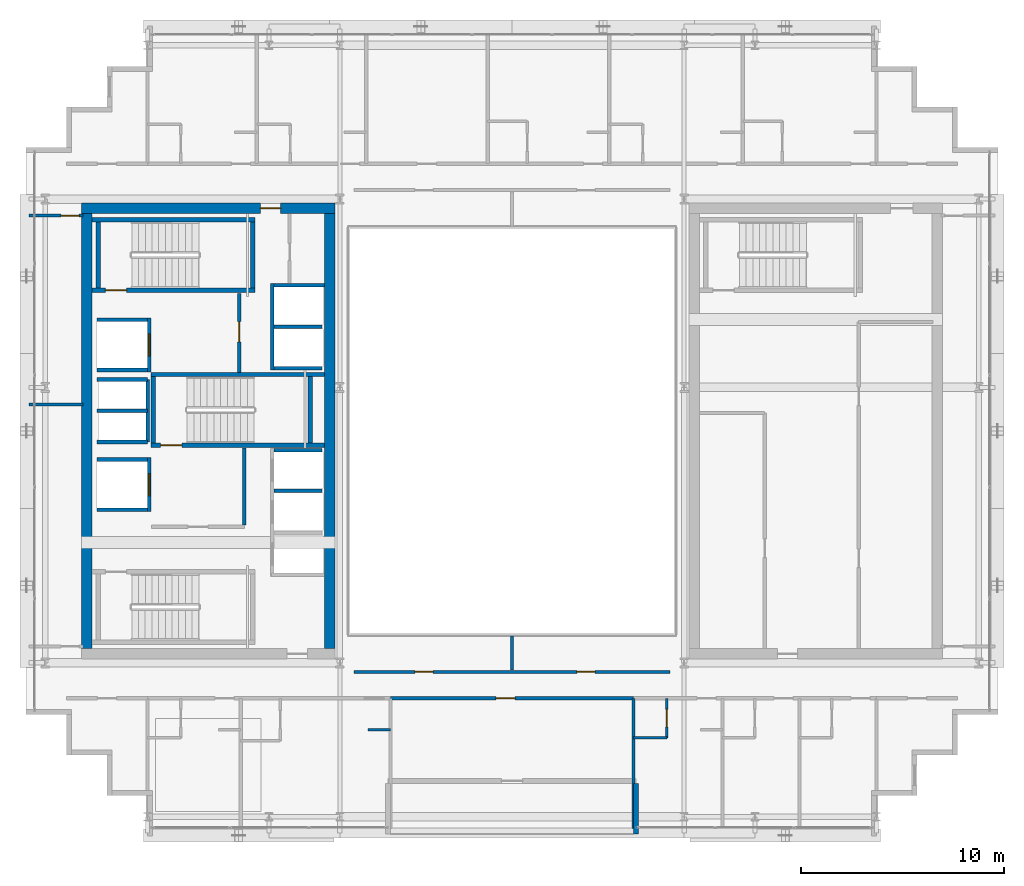
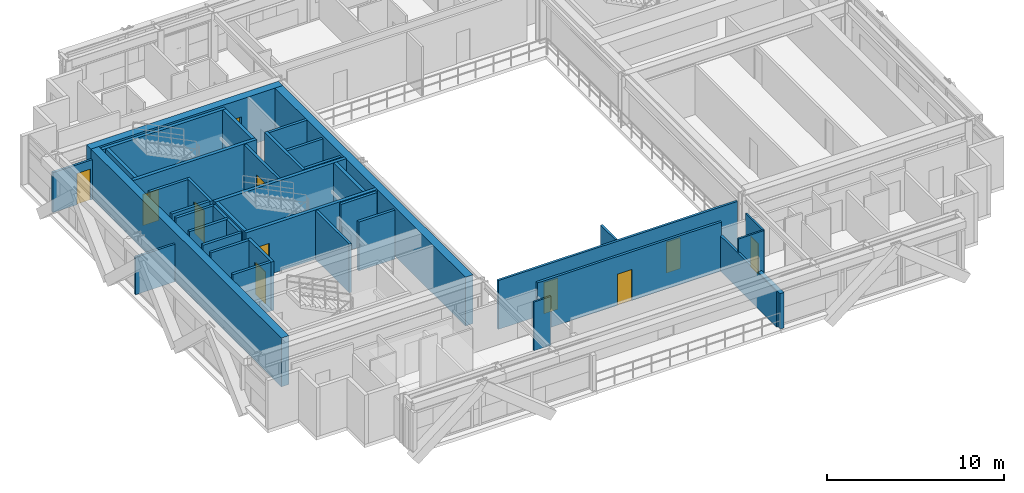
# One storey, part 24 of 31: 39 walls, 11 doors, 11 openings.
"""IFC4 building model written with IfcOpenShell, lengths in metres."""

from ifc_helpers import new_model, si_unit, direction, frame, frame_2d, origin, place, context, subcontext, project, spatial, rectangle, extrude, source, transform, mapped, material, layer, layer_set, type_object, element, fill, save


model = new_model("IFC4")

# Units and contexts
model_context = context("Model", 3, precision=1e-05, world=origin(), true_north=direction((0.0, 1.0)))
body_context = subcontext(model_context, "Body", "Model", "MODEL_VIEW")
ifc_project = project(units=[si_unit("LENGTHUNIT", "METRE"), si_unit("AREAUNIT", "SQUARE_METRE"), si_unit("VOLUMEUNIT", "CUBIC_METRE"), si_unit("PLANEANGLEUNIT", "RADIAN"), si_unit("MASSUNIT", "GRAM", prefix="KILO")], contexts=[model_context])

# Site, building, storey
site_placement = place(None, origin())
site = spatial("IfcSite", under=ifc_project, at=site_placement, CompositionType="ELEMENT")
building_placement = place(site_placement, origin())
building = spatial("IfcBuilding", under=site, at=building_placement, Name="Ocotamira Hotel", CompositionType="ELEMENT")
storey_placement = place(building_placement, frame((0.0, 0.0, 202.800048828125)))
storey = spatial("IfcBuildingStorey", under=building, at=storey_placement, Name="L51", CompositionType="ELEMENT", Elevation=202.800048828125)

# Wall, opening, door
ifc_material_1 = material(Name="Concrete C50/60", Category="concrete")
ifc_layer_1 = layer(ifc_material_1, 0.5)
ifc_layer_set_1 = layer_set([ifc_layer_1], Name="Concrete C50/60")
wall_type_1 = type_object("IfcWallType", Name="WL-CORE-500", PredefinedType="SHEAR", material=ifc_layer_set_1)
wall_1_placement = place(storey_placement, frame((10.75, 37.0, 0.0), z_axis=(0.0, 0.0, 1.0), x_axis=(1.0, 0.0, 0.0)))
wall_1 = element("IfcWall", 1, at=wall_1_placement, inside=storey, type_object=wall_type_1, Name="L51 Shear Core Wall WCORE-N", PredefinedType="SHEAR", context=body_context, shape_type="SweptSolid", body=[
    extrude(rectangle(XDim=12.5, YDim=0.5, at=frame_2d((6.25, 0.0))), origin(), (0.0, 0.0, 1.0), 3.369873046875),
])
opening_1_placement = place(wall_1_placement, frame((8.830078125, 0.0, 0.0)))
opening_1 = element("IfcOpeningElement", 2, at=opening_1_placement, cuts=wall_1, Name="Opening D-FR2", PredefinedType="OPENING", context=body_context, shape_type="SweptSolid", body=[
    extrude(rectangle(XDim=1.0, YDim=2.14990234375, at=frame_2d((0.5, 1.074951171875))), frame((0.0, 0.260009765625, 0.0), z_axis=(0.0, -1.0, 0.0), x_axis=(1.0, 0.0, 0.0)), (0.0, 0.0, 1.0), 0.52001953125),
])
ifc_material_2 = material(Name="Fire-rated acoustic timber-veneer door", Category="wood")
door_type_1 = type_object("IfcDoorType", Name="DR-FIRE-1000", OperationType="NOTDEFINED", PredefinedType="DOOR", material=ifc_material_2)
shared_shape_1 = source(origin(), body_context, "Body", "SweptSolid", [
    extrude(rectangle(XDim=1.0, YDim=2.14990234375, at=frame_2d((0.5, 1.074951171875))), frame((0.0, 0.02490234375, 0.0), z_axis=(0.0, -1.0, 0.0), x_axis=(1.0, 0.0, 0.0)), (0.0, 0.0, 1.0), 0.050048828125),
])
door_1_placement = place(opening_1_placement, origin())
door_1 = element("IfcDoor", 3, at=door_1_placement, inside=storey, type_object=door_type_1, Name="L51 Door ID-L51-WLOB-N-D [ID-L51-WLOB-N-D]", OperationType="SINGLE_SWING_RIGHT", OverallHeight=2.14990234375, OverallWidth=1.0, PredefinedType="DOOR", context=body_context, shape_type="MappedRepresentation", body=[
    mapped(shared_shape_1, transform((0.0, 0.0, 0.0), scale=1.0)),
])
fill(opening_1, door_1)

# Walls
for number, where, z_axis, x_axis, name in (
    (4, (11.0, 15.25, 0.0), (0.0, 0.0, 1.0), (0.0, 1.0, 0.0), "L51 Shear Core Wall WCORE-W"),
    (5, (23.0, 15.25, 0.0), (0.0, 0.0, 1.0), (0.0, 1.0, 0.0), "L51 Shear Core Wall WCORE-E"),
):
    element("IfcWall", number, at=place(storey_placement, frame(where, z_axis=z_axis, x_axis=x_axis)), inside=storey, type_object=wall_type_1, Name=name, PredefinedType="SHEAR", context=body_context, shape_type="SweptSolid", body=[
        extrude(rectangle(XDim=21.5, YDim=0.5, at=frame_2d((10.75, 0.0))), origin(), (0.0, 0.0, 1.0), 3.369873046875),
    ])
ifc_material_3 = material(Name="Precast concrete C45/55", Category="concrete")
ifc_layer_2 = layer(ifc_material_3, 0.25)
ifc_layer_set_2 = layer_set([ifc_layer_2], Name="Precast concrete C45/55")
wall_type_2 = type_object("IfcWallType", Name="WL-EXT-SER-250", PredefinedType="SOLIDWALL", material=ifc_layer_set_2)
wall_2_placement = place(storey_placement, frame((38.125, 6.10009765625, 0.0), z_axis=(0.0, 0.0, 1.0), x_axis=(0.0, 1.0, 0.0)))
element("IfcWall", 6, at=wall_2_placement, inside=storey, type_object=wall_type_2, Name="L51 Sky Terrace Return Wall 1R", PredefinedType="SOLIDWALL", context=body_context, shape_type="SweptSolid", body=[
    extrude(rectangle(XDim=2.5, YDim=0.25, at=frame_2d((1.25, 0.0))), origin(), (0.0, 0.0, 1.0), 2.44287109375),
])
ifc_material_4 = material(Name="Acoustic double-layer fire gypsum board partition", Category="gypsum")
ifc_layer_3 = layer(ifc_material_4, 0.159912109375)
ifc_layer_set_3 = layer_set([ifc_layer_3], Name="Acoustic double-layer fire gypsum board partition")
wall_type_3 = type_object("IfcWallType", Name="WL-FIRE-160", PredefinedType="PARTITIONING", material=ifc_layer_set_3)
wall_3_placement = place(storey_placement, frame((18.780029296875, 21.35009765625, 0.0), z_axis=(0.0, 0.0, 1.0), x_axis=(0.0, 1.0, 0.0)))
element("IfcWall", 7, at=wall_3_placement, inside=storey, type_object=wall_type_3, Name="L51 Interior Wall PW-L51-FSAE1-E", PredefinedType="PARTITIONING", context=body_context, shape_type="SweptSolid", body=[
    extrude(rectangle(XDim=3.809814453125, YDim=0.159912109375, at=frame_2d((1.90478515625, 0.0))), origin(), (0.0, 0.0, 1.0), 3.369873046875),
])

# Wall, opening, door
wall_4_placement = place(storey_placement, frame((18.530029296875, 28.89990234375, 0.0), z_axis=(0.0, 0.0, 1.0), x_axis=(0.0, 1.0, 0.0)))
wall_4 = element("IfcWall", 8, at=wall_4_placement, inside=storey, type_object=wall_type_3, Name="L51 Interior Wall PW-L51-FSAE2-E", PredefinedType="PARTITIONING", context=body_context, shape_type="SweptSolid", body=[
    extrude(rectangle(XDim=3.900146484375, YDim=0.159912109375, at=frame_2d((1.9501953125, 0.0))), origin(), (0.0, 0.0, 1.0), 3.369873046875),
])
opening_2_placement = place(wall_4_placement, frame((1.5, 0.0, 0.0)))
opening_2 = element("IfcOpeningElement", 9, at=opening_2_placement, cuts=wall_4, Name="Opening D-FR2", PredefinedType="OPENING", context=body_context, shape_type="SweptSolid", body=[
    extrude(rectangle(XDim=1.0, YDim=2.14990234375, at=frame_2d((0.5, 1.074951171875))), frame((0.0, 0.08984375, 0.0), z_axis=(0.0, -1.0, 0.0), x_axis=(1.0, 0.0, 0.0)), (0.0, 0.0, 1.0), 0.179931640625),
])
door_2_placement = place(opening_2_placement, origin())
door_2 = element("IfcDoor", 10, at=door_2_placement, inside=storey, type_object=door_type_1, Name="L51 Door ID-L51-FSAE2-D [ID-L51-FSAE2-D]", OperationType="SINGLE_SWING_RIGHT", OverallHeight=2.14990234375, OverallWidth=1.0, PredefinedType="DOOR", context=body_context, shape_type="MappedRepresentation", body=[
    mapped(shared_shape_1, transform((0.0, 0.0, 0.0), scale=1.0)),
])
fill(opening_2, door_2)

wall_5_placement = place(storey_placement, frame((26.0, 12.800048828125, 0.0), z_axis=(0.0, 0.0, 1.0), x_axis=(1.0, 0.0, 0.0)))
wall_5 = element("IfcWall", 11, at=wall_5_placement, inside=storey, type_object=wall_type_3, Name="L51 Interior Wall PW-L51-Z3E-TSALN", PredefinedType="PARTITIONING", context=body_context, shape_type="SweptSolid", body=[
    extrude(rectangle(XDim=12.0, YDim=0.159912109375, at=frame_2d((6.0, 0.0))), origin(), (0.0, 0.0, 1.0), 3.369873046875),
])
opening_3_placement = place(wall_5_placement, frame((5.199951171875, 0.0, 0.0)))
opening_3 = element("IfcOpeningElement", 12, at=opening_3_placement, cuts=wall_5, Name="Opening D-SV4", PredefinedType="OPENING", context=body_context, shape_type="SweptSolid", body=[
    extrude(rectangle(XDim=0.9599609375, YDim=2.14990234375, at=frame_2d((0.47998046875, 1.074951171875))), frame((0.0, 0.08984375, 0.0), z_axis=(0.0, -1.0, 0.0), x_axis=(1.0, 0.0, 0.0)), (0.0, 0.0, 1.0), 0.179931640625),
])
ifc_material_5 = material(Name="Fire-rated accessible walnut salon door", Category="wood")
door_type_2 = type_object("IfcDoorType", Name="DR-SERV-960", OperationType="NOTDEFINED", PredefinedType="DOOR", material=ifc_material_5)
shared_shape_2 = source(origin(), body_context, "Body", "SweptSolid", [
    extrude(rectangle(XDim=0.9599609375, YDim=2.14990234375, at=frame_2d((0.47998046875, 1.074951171875))), frame((0.0, 0.02490234375, 0.0), z_axis=(0.0, -1.0, 0.0), x_axis=(1.0, 0.0, 0.0)), (0.0, 0.0, 1.0), 0.050048828125),
])
door_3_placement = place(opening_3_placement, origin())
door_3 = element("IfcDoor", 13, at=door_3_placement, inside=storey, type_object=door_type_2, Name="L51 Door ID-L51-Z3E-TSALD [ID-L51-Z3E-TSALD]", OperationType="SINGLE_SWING_LEFT", OverallHeight=2.14990234375, OverallWidth=0.9599609375, PredefinedType="DOOR", context=body_context, shape_type="MappedRepresentation", body=[
    mapped(shared_shape_2, transform((0.0, 0.0, 0.0), scale=1.0)),
])
fill(opening_3, door_3)

# Wall
ifc_material_6 = material(Name="Moisture-resistant en-suite tile and gypsum partition", Category="gypsum")
ifc_layer_4 = layer(ifc_material_6, 0.1201171875)
ifc_layer_set_4 = layer_set([ifc_layer_4], Name="Moisture-resistant en-suite tile and gypsum partition")
wall_type_4 = type_object("IfcWallType", Name="WL-PART-120", PredefinedType="PARTITIONING", material=ifc_layer_set_4)
wall_6_placement = place(storey_placement, frame((24.89990234375, 11.25, 0.0), z_axis=(0.0, 0.0, 1.0), x_axis=(1.0, 0.0, 0.0)))
element("IfcWall", 14, at=wall_6_placement, inside=storey, type_object=wall_type_4, Name="L51 Interior Wall PW-L51-Z3ESW-DRN2", PredefinedType="PARTITIONING", context=body_context, shape_type="SweptSolid", body=[
    extrude(rectangle(XDim=1.10009765625, YDim=0.1201171875, at=frame_2d((0.550048828125, 0.0))), origin(), (0.0, 0.0, 1.0), 3.369873046875),
])

# Wall, opening, door
wall_7_placement = place(storey_placement, frame((39.64990234375, 10.85009765625, 0.0), z_axis=(0.0, 0.0, 1.0), x_axis=(0.0, 1.0, 0.0)))
wall_7 = element("IfcWall", 15, at=wall_7_placement, inside=storey, type_object=wall_type_4, Name="L51 Interior Wall PW-L51-Z3ESE-BAE1", PredefinedType="PARTITIONING", context=body_context, shape_type="SweptSolid", body=[
    extrude(rectangle(XDim=1.949951171875, YDim=0.1201171875, at=frame_2d((0.97509765625, 0.0))), origin(), (0.0, 0.0, 1.0), 3.369873046875),
])
opening_4_placement = place(wall_7_placement, frame((0.544921875, 0.0, 0.0)))
opening_4 = element("IfcOpeningElement", 16, at=opening_4_placement, cuts=wall_7, Name="Opening D-BA1", PredefinedType="OPENING", context=body_context, shape_type="SweptSolid", body=[
    extrude(rectangle(XDim=0.860107421875, YDim=2.10009765625, at=frame_2d((0.43017578125, 1.050048828125))), frame((0.0, 0.070068359375, 0.0), z_axis=(0.0, -1.0, 0.0), x_axis=(1.0, 0.0, 0.0)), (0.0, 0.0, 1.0), 0.14013671875),
])
ifc_material_7 = material(Name="Moisture-sealed en-suite timber door", Category="wood")
door_type_3 = type_object("IfcDoorType", Name="DR-BATH-860", OperationType="NOTDEFINED", PredefinedType="DOOR", material=ifc_material_7)
shared_shape_3 = source(origin(), body_context, "Body", "SweptSolid", [
    extrude(rectangle(XDim=0.860107421875, YDim=2.10009765625, at=frame_2d((0.43017578125, 1.050048828125))), frame((0.0, 0.02490234375, 0.0), z_axis=(0.0, -1.0, 0.0), x_axis=(1.0, 0.0, 0.0)), (0.0, 0.0, 1.0), 0.050048828125),
])
door_4_placement = place(opening_4_placement, origin())
door_4 = element("IfcDoor", 17, at=door_4_placement, inside=storey, type_object=door_type_3, Name="L51 Door ID-L51-Z3ESE-BAD1 [ID-L51-Z3ESE-BAD1]", OperationType="SINGLE_SWING_RIGHT", OverallHeight=2.10009765625, OverallWidth=0.860107421875, PredefinedType="DOOR", context=body_context, shape_type="MappedRepresentation", body=[
    mapped(shared_shape_3, transform((0.0, 0.0, 0.0), scale=1.0)),
])
fill(opening_4, door_4)

# Walls
wall_8_placement = place(storey_placement, frame((38.0, 10.85009765625, 0.0), z_axis=(0.0, 0.0, 1.0), x_axis=(1.0, 0.0, 0.0)))
element("IfcWall", 18, at=wall_8_placement, inside=storey, type_object=wall_type_4, Name="L51 Interior Wall PW-L51-Z3ESE-BAS1", PredefinedType="PARTITIONING", context=body_context, shape_type="SweptSolid", body=[
    extrude(rectangle(XDim=1.64990234375, YDim=0.1201171875, at=frame_2d((0.824951171875, 0.0))), origin(), (0.0, 0.0, 1.0), 3.369873046875),
])
ifc_material_8 = material(Name="Acoustic hospitality gypsum board partition", Category="gypsum")
ifc_layer_5 = layer(ifc_material_8, 0.14208984375)
ifc_layer_set_5 = layer_set([ifc_layer_5], Name="Acoustic hospitality gypsum board partition")
wall_type_5 = type_object("IfcWallType", Name="WL-PART-142", PredefinedType="PARTITIONING", material=ifc_layer_set_5)
wall_9_placement = place(storey_placement, frame((32.0, 14.199951171875, 0.0), z_axis=(0.0, 0.0, 1.0), x_axis=(0.0, 1.0, 0.0)))
element("IfcWall", 19, at=wall_9_placement, inside=storey, type_object=wall_type_5, Name="L51 Interior Wall PW-L51-Z3E-ASD1", PredefinedType="PARTITIONING", context=body_context, shape_type="SweptSolid", body=[
    extrude(rectangle(XDim=1.679931640625, YDim=0.14208984375, at=frame_2d((0.83984375, 0.0))), origin(), (0.0, 0.0, 1.0), 3.369873046875),
])
wall_10_placement = place(storey_placement, frame((8.159912109375, 27.300048828125, 0.0), z_axis=(0.0, 0.0, 1.0), x_axis=(1.0, 0.0, 0.0)))
element("IfcWall", 20, at=wall_10_placement, inside=storey, type_object=wall_type_5, Name="L51 Interior Wall PW-L51-Z3E-WF-DV1", PredefinedType="PARTITIONING", context=body_context, shape_type="SweptSolid", body=[
    extrude(rectangle(XDim=2.66015625, YDim=0.14208984375, at=frame_2d((1.330078125, 0.0))), origin(), (0.0, 0.0, 1.0), 2.591064453125),
])

# Wall, openings, doors
ifc_layer_6 = layer(ifc_material_8, 0.14990234375)
ifc_layer_set_6 = layer_set([ifc_layer_6], Name="Acoustic hospitality gypsum board partition")
wall_type_6 = type_object("IfcWallType", Name="WL-PART-150", PredefinedType="PARTITIONING", material=ifc_layer_set_6)
wall_11_placement = place(storey_placement, frame((24.199951171875, 14.10009765625, 0.0), z_axis=(0.0, 0.0, 1.0), x_axis=(1.0, 0.0, 0.0)))
wall_11 = element("IfcWall", 21, at=wall_11_placement, inside=storey, type_object=wall_type_6, Name="L51 Interior Wall PW-L51-Z3E-ATRSW", PredefinedType="PARTITIONING", context=body_context, shape_type="SweptSolid", body=[
    extrude(rectangle(XDim=15.60009765625, YDim=0.14990234375, at=frame_2d((7.800048828125, 0.0))), origin(), (0.0, 0.0, 1.0), 3.369873046875),
])
opening_5_placement = place(wall_11_placement, frame((3.0, 0.0, 0.0)))
opening_5 = element("IfcOpeningElement", 22, at=opening_5_placement, cuts=wall_11, Name="Opening D-IN3", PredefinedType="OPENING", context=body_context, shape_type="SweptSolid", body=[
    extrude(rectangle(XDim=0.89990234375, YDim=2.14990234375, at=frame_2d((0.449951171875, 1.074951171875))), frame((0.0, 0.0849609375, 0.0), z_axis=(0.0, -1.0, 0.0), x_axis=(1.0, 0.0, 0.0)), (0.0, 0.0, 1.0), 0.169921875),
])
opening_6_placement = place(wall_11_placement, frame((11.0, 0.0, 0.0)))
opening_6 = element("IfcOpeningElement", 23, at=opening_6_placement, cuts=wall_11, Name="Opening D-IN3", PredefinedType="OPENING", context=body_context, shape_type="SweptSolid", body=[
    extrude(rectangle(XDim=0.89990234375, YDim=2.14990234375, at=frame_2d((0.449951171875, 1.074951171875))), frame((0.0, 0.0849609375, 0.0), z_axis=(0.0, -1.0, 0.0), x_axis=(1.0, 0.0, 0.0)), (0.0, 0.0, 1.0), 0.169921875),
])
ifc_material_9 = material(Name="Painted service room door", Category="steel")
door_type_4 = type_object("IfcDoorType", Name="DR-INT-900", OperationType="NOTDEFINED", PredefinedType="DOOR", material=ifc_material_9)
shared_shape_4 = source(origin(), body_context, "Body", "SweptSolid", [
    extrude(rectangle(XDim=0.89990234375, YDim=2.14990234375, at=frame_2d((0.449951171875, 1.074951171875))), frame((0.0, 0.02490234375, 0.0), z_axis=(0.0, -1.0, 0.0), x_axis=(1.0, 0.0, 0.0)), (0.0, 0.0, 1.0), 0.050048828125),
])
door_5_placement = place(opening_5_placement, origin())
door_5 = element("IfcDoor", 24, at=door_5_placement, inside=storey, type_object=door_type_4, Name="L51 Door ID-L51-Z3E-ASD1D [ID-L51-Z3E-ASD1D]", OperationType="SINGLE_SWING_LEFT", OverallHeight=2.14990234375, OverallWidth=0.89990234375, PredefinedType="DOOR", context=body_context, shape_type="MappedRepresentation", body=[
    mapped(shared_shape_4, transform((0.0, 0.0, 0.0), scale=1.0)),
])
fill(opening_5, door_5)
door_6_placement = place(opening_6_placement, origin())
door_6 = element("IfcDoor", 25, at=door_6_placement, inside=storey, type_object=door_type_4, Name="L51 Door ID-L51-Z3E-ASD2D [ID-L51-Z3E-ASD2D]", OperationType="SINGLE_SWING_RIGHT", OverallHeight=2.14990234375, OverallWidth=0.89990234375, PredefinedType="DOOR", context=body_context, shape_type="MappedRepresentation", body=[
    mapped(shared_shape_4, transform((0.0, 0.0, 0.0), scale=1.0)),
])
fill(opening_6, door_6)

# Wall, opening, door
wall_12_placement = place(storey_placement, frame((8.159912109375, 36.639892578125, 0.0), z_axis=(0.0, 0.0, 1.0), x_axis=(1.0, 0.0, 0.0)))
wall_12 = element("IfcWall", 26, at=wall_12_placement, inside=storey, type_object=wall_type_6, Name="L51 Interior Wall PW-L51-Z3E-WF-WN", PredefinedType="PARTITIONING", context=body_context, shape_type="SweptSolid", body=[
    extrude(rectangle(XDim=2.66015625, YDim=0.14990234375, at=frame_2d((1.330078125, 0.0))), origin(), (0.0, 0.0, 1.0), 2.7529296875),
])
opening_7_placement = place(wall_12_placement, frame((1.580078125, 0.0, 0.0)))
opening_7 = element("IfcOpeningElement", 27, at=opening_7_placement, cuts=wall_12, Name="Opening D-SV2", PredefinedType="OPENING", context=body_context, shape_type="SweptSolid", body=[
    extrude(rectangle(XDim=0.8798828125, YDim=2.14990234375, at=frame_2d((0.43994140625, 1.074951171875))), frame((0.0, 0.0849609375, 0.0), z_axis=(0.0, -1.0, 0.0), x_axis=(1.0, 0.0, 0.0)), (0.0, 0.0, 1.0), 0.169921875),
])
ifc_material_10 = material(Name="Fire-rated painted steel service door", Category="steel")
door_type_5 = type_object("IfcDoorType", Name="DR-SERV-880", OperationType="NOTDEFINED", PredefinedType="DOOR", material=ifc_material_10)
shared_shape_5 = source(origin(), body_context, "Body", "SweptSolid", [
    extrude(rectangle(XDim=0.8798828125, YDim=2.14990234375, at=frame_2d((0.43994140625, 1.074951171875))), frame((0.0, 0.02490234375, 0.0), z_axis=(0.0, -1.0, 0.0), x_axis=(1.0, 0.0, 0.0)), (0.0, 0.0, 1.0), 0.050048828125),
])
door_7_placement = place(opening_7_placement, origin())
door_7 = element("IfcDoor", 28, at=door_7_placement, inside=storey, type_object=door_type_5, Name="L51 Door ID-L51-Z3E-WF-DN [ID-L51-Z3E-WF-DN]", OperationType="SINGLE_SWING_RIGHT", OverallHeight=2.14990234375, OverallWidth=0.8798828125, PredefinedType="DOOR", context=body_context, shape_type="MappedRepresentation", body=[
    mapped(shared_shape_5, transform((0.0, 0.0, 0.0), scale=1.0)),
])
fill(opening_7, door_7)

# Walls
ifc_material_11 = material(Name="Acoustic double-stud hospitality gypsum partition", Category="gypsum")
ifc_layer_7 = layer(ifc_material_11, 0.159912109375)
ifc_layer_set_7 = layer_set([ifc_layer_7], Name="Acoustic double-stud hospitality gypsum partition")
wall_type_7 = type_object("IfcWallType", Name="WL-PART-160", PredefinedType="PARTITIONING", material=ifc_layer_set_7)
wall_13_placement = place(storey_placement, frame((38.0, 6.360107421875, 0.0), z_axis=(0.0, 0.0, 1.0), x_axis=(0.0, 1.0, 0.0)))
element("IfcWall", 29, at=wall_13_placement, inside=storey, type_object=wall_type_7, Name="L51 Interior Wall PW-L51-Z3ESE-PW0", PredefinedType="PARTITIONING", context=body_context, shape_type="SweptSolid", body=[
    extrude(rectangle(XDim=6.43994140625, YDim=0.159912109375, at=frame_2d((3.219970703125, 0.0))), origin(), (0.0, 0.0, 1.0), 2.44287109375),
])
ifc_material_12 = material(Name="Fire-rated gypsum shaftliner board assembly", Category="gypsum")
ifc_layer_8 = layer(ifc_material_12, 0.179931640625)
ifc_layer_set_8 = layer_set([ifc_layer_8], Name="Fire-rated gypsum shaftliner board assembly")
wall_type_8 = type_object("IfcWallType", Name="WL-SHAFT-180", PredefinedType="SOLIDWALL", material=ifc_layer_set_8)
for number, where, z_axis, x_axis, name in (
    (30, (20.25, 25.050048828125, 0.0), (0.0, 0.0, 1.0), (1.0, 0.0, 0.0), "L51 Interior Wall PW-L51-LFW-BANK-high-N"),
    (31, (20.25, 23.044921875, 0.0), (0.0, 0.0, 1.0), (1.0, 0.0, 0.0), "L51 Interior Wall PW-L51-LFW-DIV-LF-P8"),
):
    element("IfcWall", number, at=place(storey_placement, frame(where, z_axis=z_axis, x_axis=x_axis)), inside=storey, type_object=wall_type_8, Name=name, PredefinedType="SOLIDWALL", context=body_context, shape_type="SweptSolid", body=[
        extrude(rectangle(XDim=2.360107421875, YDim=0.179931640625, at=frame_2d((1.18017578125, 0.0))), origin(), (0.0, 0.0, 1.0), 3.369873046875),
    ])
wall_14_placement = place(storey_placement, frame((20.159912109375, 29.0, 0.0), z_axis=(0.0, 0.0, 1.0), x_axis=(0.0, 1.0, 0.0)))
element("IfcWall", 32, at=wall_14_placement, inside=storey, type_object=wall_type_8, Name="L51 Interior Wall PW-L51-LFW-BANK-obs-F", PredefinedType="SOLIDWALL", context=body_context, shape_type="SweptSolid", body=[
    extrude(rectangle(XDim=4.2900390625, YDim=0.179931640625, at=frame_2d((2.14501953125, 0.0))), origin(), (0.0, 0.0, 1.0), 3.369873046875),
])
wall_15_placement = place(storey_placement, frame((20.25, 29.090087890625, 0.0), z_axis=(0.0, 0.0, 1.0), x_axis=(1.0, 0.0, 0.0)))
element("IfcWall", 33, at=wall_15_placement, inside=storey, type_object=wall_type_8, Name="L51 Interior Wall PW-L51-LFW-BANK-obs-S", PredefinedType="SOLIDWALL", context=body_context, shape_type="SweptSolid", body=[
    extrude(rectangle(XDim=2.360107421875, YDim=0.179931640625, at=frame_2d((1.18017578125, 0.0))), origin(), (0.0, 0.0, 1.0), 3.369873046875),
])
wall_16_placement = place(storey_placement, frame((20.25, 33.199951171875, 0.0), z_axis=(0.0, 0.0, 1.0), x_axis=(1.0, 0.0, 0.0)))
element("IfcWall", 34, at=wall_16_placement, inside=storey, type_object=wall_type_8, Name="L51 Interior Wall PW-L51-LFW-BANK-obs-N", PredefinedType="SOLIDWALL", context=body_context, shape_type="SweptSolid", body=[
    extrude(rectangle(XDim=2.5, YDim=0.179931640625, at=frame_2d((1.25, 0.0))), origin(), (0.0, 0.0, 1.0), 3.369873046875),
])
wall_17_placement = place(storey_placement, frame((20.25, 31.14501953125, 0.0), z_axis=(0.0, 0.0, 1.0), x_axis=(1.0, 0.0, 0.0)))
element("IfcWall", 35, at=wall_17_placement, inside=storey, type_object=wall_type_8, Name="L51 Interior Wall PW-L51-LFW-DIV-LF-OBS1", PredefinedType="SOLIDWALL", context=body_context, shape_type="SweptSolid", body=[
    extrude(rectangle(XDim=2.360107421875, YDim=0.179931640625, at=frame_2d((1.18017578125, 0.0))), origin(), (0.0, 0.0, 1.0), 3.369873046875),
])
for number, where, z_axis, x_axis, name in (
    (36, (11.5, 22.110107421875, 0.0), (0.0, 0.0, 1.0), (1.0, 0.0, 0.0), "L51 Interior Wall PW-L51-LFW-LF-FSAE1-S"),
    (37, (11.5, 24.590087890625, 0.0), (0.0, 0.0, 1.0), (1.0, 0.0, 0.0), "L51 Interior Wall PW-L51-LFW-LF-FSAE1-N"),
):
    element("IfcWall", number, at=place(storey_placement, frame(where, z_axis=z_axis, x_axis=x_axis)), inside=storey, type_object=wall_type_8, Name=name, PredefinedType="SOLIDWALL", context=body_context, shape_type="SweptSolid", body=[
        extrude(rectangle(XDim=2.5, YDim=0.179931640625, at=frame_2d((1.25, 0.0))), origin(), (0.0, 0.0, 1.0), 3.369873046875),
    ])

# Wall, opening, door
wall_18_placement = place(storey_placement, frame((14.090087890625, 22.02001953125, 0.0), z_axis=(0.0, 0.0, 1.0), x_axis=(0.0, 1.0, 0.0)))
wall_18 = element("IfcWall", 38, at=wall_18_placement, inside=storey, type_object=wall_type_8, Name="L51 Interior Wall PW-L51-LFW-LF-FSAE1-E", PredefinedType="SOLIDWALL", context=body_context, shape_type="SweptSolid", body=[
    extrude(rectangle(XDim=2.659912109375, YDim=0.179931640625, at=frame_2d((1.330078125, 0.0))), origin(), (0.0, 0.0, 1.0), 3.369873046875),
])
opening_8_placement = place(wall_18_placement, frame((0.780029296875, 0.0, 0.0)))
opening_8 = element("IfcOpeningElement", 39, at=opening_8_placement, cuts=wall_18, Name="Opening LD-LF-FSAE1", PredefinedType="OPENING", context=body_context, shape_type="SweptSolid", body=[
    extrude(rectangle(XDim=1.10009765625, YDim=2.199951171875, at=frame_2d((0.550048828125, 1.10009765625))), frame((0.0, 0.10009765625, 0.0), z_axis=(0.0, -1.0, 0.0), x_axis=(1.0, 0.0, 0.0)), (0.0, 0.0, 1.0), 0.199951171875),
])
ifc_material_13 = material(Name="Brushed pale-metal stainless elevator landing door", Category="steel")
door_type_6 = type_object("IfcDoorType", Name="DR-LIFT-1100", OperationType="NOTDEFINED", PredefinedType="DOOR", material=ifc_material_13)
shared_shape_6 = source(origin(), body_context, "Body", "SweptSolid", [
    extrude(rectangle(XDim=1.10009765625, YDim=2.199951171875, at=frame_2d((0.550048828125, 1.10009765625))), frame((0.0, 0.02490234375, 0.0), z_axis=(0.0, -1.0, 0.0), x_axis=(1.0, 0.0, 0.0)), (0.0, 0.0, 1.0), 0.050048828125),
])
door_8_placement = place(opening_8_placement, origin())
door_8 = element("IfcDoor", 40, at=door_8_placement, inside=storey, type_object=door_type_6, Name="L51 Landing Door LD-LF-FSAE1 [ID-L51-LD-LF-FSAE1]", OperationType="DOUBLE_DOOR_SLIDING", OverallHeight=2.199951171875, OverallWidth=1.10009765625, PredefinedType="DOOR", context=body_context, shape_type="MappedRepresentation", body=[
    mapped(shared_shape_6, transform((0.0, 0.0, 0.0), scale=1.0)),
])
fill(opening_8, door_8)

# Walls
for number, where, z_axis, x_axis, name in (
    (41, (11.5, 29.010009765625, 0.0), (0.0, 0.0, 1.0), (1.0, 0.0, 0.0), "L51 Interior Wall PW-L51-LFW-LF-FSAE2-S"),
    (42, (11.5, 31.489990234375, 0.0), (0.0, 0.0, 1.0), (1.0, 0.0, 0.0), "L51 Interior Wall PW-L51-LFW-LF-FSAE2-N"),
):
    element("IfcWall", number, at=place(storey_placement, frame(where, z_axis=z_axis, x_axis=x_axis)), inside=storey, type_object=wall_type_8, Name=name, PredefinedType="SOLIDWALL", context=body_context, shape_type="SweptSolid", body=[
        extrude(rectangle(XDim=2.5, YDim=0.179931640625, at=frame_2d((1.25, 0.0))), origin(), (0.0, 0.0, 1.0), 3.369873046875),
    ])

# Wall, opening, door
wall_19_placement = place(storey_placement, frame((14.090087890625, 28.919921875, 0.0), z_axis=(0.0, 0.0, 1.0), x_axis=(0.0, 1.0, 0.0)))
wall_19 = element("IfcWall", 43, at=wall_19_placement, inside=storey, type_object=wall_type_8, Name="L51 Interior Wall PW-L51-LFW-LF-FSAE2-E", PredefinedType="SOLIDWALL", context=body_context, shape_type="SweptSolid", body=[
    extrude(rectangle(XDim=2.66015625, YDim=0.179931640625, at=frame_2d((1.330078125, 0.0))), origin(), (0.0, 0.0, 1.0), 3.369873046875),
])
opening_9_placement = place(wall_19_placement, frame((0.780029296875, 0.0, 0.0)))
opening_9 = element("IfcOpeningElement", 44, at=opening_9_placement, cuts=wall_19, Name="Opening LD-LF-FSAE2", PredefinedType="OPENING", context=body_context, shape_type="SweptSolid", body=[
    extrude(rectangle(XDim=1.10009765625, YDim=2.199951171875, at=frame_2d((0.550048828125, 1.10009765625))), frame((0.0, 0.10009765625, 0.0), z_axis=(0.0, -1.0, 0.0), x_axis=(1.0, 0.0, 0.0)), (0.0, 0.0, 1.0), 0.199951171875),
])
door_9_placement = place(opening_9_placement, origin())
door_9 = element("IfcDoor", 45, at=door_9_placement, inside=storey, type_object=door_type_6, Name="L51 Landing Door LD-LF-FSAE2 [ID-L51-LD-LF-FSAE2]", OperationType="DOUBLE_DOOR_SLIDING", OverallHeight=2.199951171875, OverallWidth=1.10009765625, PredefinedType="DOOR", context=body_context, shape_type="MappedRepresentation", body=[
    mapped(shared_shape_6, transform((0.0, 0.0, 0.0), scale=1.0)),
])
fill(opening_9, door_9)

# Walls
for number, where, z_axis, x_axis, name in (
    (46, (11.5, 25.4599609375, 0.0), (0.0, 0.0, 1.0), (1.0, 0.0, 0.0), "L51 Interior Wall PW-L51-RSW-S"),
    (47, (11.5, 27.0, 0.0), (0.0, 0.0, 1.0), (1.0, 0.0, 0.0), "L51 Interior Wall PW-L51-RSW-MID"),
    (48, (11.5, 28.5400390625, 0.0), (0.0, 0.0, 1.0), (1.0, 0.0, 0.0), "L51 Interior Wall PW-L51-RSW-N"),
):
    element("IfcWall", number, at=place(storey_placement, frame(where, z_axis=z_axis, x_axis=x_axis)), inside=storey, type_object=wall_type_8, Name=name, PredefinedType="SOLIDWALL", context=body_context, shape_type="SweptSolid", body=[
        extrude(rectangle(XDim=2.510009765625, YDim=0.179931640625, at=frame_2d((1.2548828125, 0.0))), origin(), (0.0, 0.0, 1.0), 3.369873046875),
    ])
wall_20_placement = place(storey_placement, frame((14.010009765625, 25.4599609375, 0.0), z_axis=(0.0, 0.0, 1.0), x_axis=(0.0, 1.0, 0.0)))
element("IfcWall", 49, at=wall_20_placement, inside=storey, type_object=wall_type_8, Name="L51 Interior Wall PW-L51-RSW-E", PredefinedType="SOLIDWALL", context=body_context, shape_type="SweptSolid", body=[
    extrude(rectangle(XDim=3.080078125, YDim=0.179931640625, at=frame_2d((1.5400390625, 0.0))), origin(), (0.0, 0.0, 1.0), 3.369873046875),
])

# Wall, opening, door
ifc_layer_9 = layer(ifc_material_1, 0.219970703125)
ifc_layer_set_9 = layer_set([ifc_layer_9], Name="Concrete C50/60")
wall_type_9 = type_object("IfcWallType", Name="WL-STAIR-220", PredefinedType="SHEAR", material=ifc_layer_set_9)
wall_21_placement = place(storey_placement, frame((11.25, 32.93994140625, 0.0), z_axis=(0.0, 0.0, 1.0), x_axis=(1.0, 0.0, 0.0)))
wall_21 = element("IfcWall", 50, at=wall_21_placement, inside=storey, type_object=wall_type_9, Name="L51 Stair Shaft Structural Wall ST-2-S", PredefinedType="SHEAR", context=body_context, shape_type="SweptSolid", body=[
    extrude(rectangle(XDim=8.06005859375, YDim=0.219970703125, at=frame_2d((4.030029296875, 0.0))), origin(), (0.0, 0.0, 1.0), 3.39990234375),
])
opening_10_placement = place(wall_21_placement, frame((0.669921875, 0.0, 0.0)))
opening_10 = element("IfcOpeningElement", 51, at=opening_10_placement, cuts=wall_21, Name="Opening D-ST2", PredefinedType="OPENING", context=body_context, shape_type="SweptSolid", body=[
    extrude(rectangle(XDim=1.050048828125, YDim=2.14990234375, at=frame_2d((0.52490234375, 1.074951171875))), frame((0.0, 0.1201171875, 0.0), z_axis=(0.0, -1.0, 0.0), x_axis=(1.0, 0.0, 0.0)), (0.0, 0.0, 1.0), 0.239990234375),
])
ifc_material_14 = material(Name="Insulated painted hollow-metal fire exit door", Category="steel")
door_type_7 = type_object("IfcDoorType", Name="DR-STAIR-1050", OperationType="NOTDEFINED", PredefinedType="DOOR", material=ifc_material_14)
shared_shape_7 = source(origin(), body_context, "Body", "SweptSolid", [
    extrude(rectangle(XDim=1.050048828125, YDim=2.14990234375, at=frame_2d((0.52490234375, 1.074951171875))), frame((0.0, 0.02490234375, 0.0), z_axis=(0.0, -1.0, 0.0), x_axis=(1.0, 0.0, 0.0)), (0.0, 0.0, 1.0), 0.050048828125),
])
door_10_placement = place(opening_10_placement, origin())
door_10 = element("IfcDoor", 52, at=door_10_placement, inside=storey, type_object=door_type_7, Name="L51 Door ID-L51-STD-ST-2 [ID-L51-STD-ST-2]", OperationType="SINGLE_SWING_LEFT", OverallHeight=2.14990234375, OverallWidth=1.050048828125, PredefinedType="DOOR", context=body_context, shape_type="MappedRepresentation", body=[
    mapped(shared_shape_7, transform((0.0, 0.0, 0.0), scale=1.0)),
])
fill(opening_10, door_10)

# Walls
wall_22_placement = place(storey_placement, frame((11.25, 36.43994140625, 0.0), z_axis=(0.0, 0.0, 1.0), x_axis=(1.0, 0.0, 0.0)))
element("IfcWall", 53, at=wall_22_placement, inside=storey, type_object=wall_type_9, Name="L51 Stair Shaft Structural Wall ST-2-N", PredefinedType="SHEAR", context=body_context, shape_type="SweptSolid", body=[
    extrude(rectangle(XDim=8.06005859375, YDim=0.219970703125, at=frame_2d((4.030029296875, 0.0))), origin(), (0.0, 0.0, 1.0), 3.39990234375),
])
for number, where, z_axis, x_axis, name in (
    (54, (11.56005859375, 33.050048828125, 0.0), (0.0, 0.0, 1.0), (0.0, 1.0, 0.0), "L51 Stair Shaft Structural Wall ST-2-W"),
    (55, (19.199951171875, 33.050048828125, 0.0), (0.0, 0.0, 1.0), (0.0, 1.0, 0.0), "L51 Stair Shaft Structural Wall ST-2-E"),
):
    element("IfcWall", number, at=place(storey_placement, frame(where, z_axis=z_axis, x_axis=x_axis)), inside=storey, type_object=wall_type_9, Name=name, PredefinedType="SHEAR", context=body_context, shape_type="SweptSolid", body=[
        extrude(rectangle(XDim=3.280029296875, YDim=0.219970703125, at=frame_2d((1.64013671875, 0.0))), origin(), (0.0, 0.0, 1.0), 3.39990234375),
    ])

# Wall, opening, door
wall_23_placement = place(storey_placement, frame((14.179931640625, 25.2900390625, 0.0), z_axis=(0.0, 0.0, 1.0), x_axis=(1.0, 0.0, 0.0)))
wall_23 = element("IfcWall", 56, at=wall_23_placement, inside=storey, type_object=wall_type_9, Name="L51 Stair Shaft Structural Wall ST-3-S", PredefinedType="SHEAR", context=body_context, shape_type="SweptSolid", body=[
    extrude(rectangle(XDim=8.570068359375, YDim=0.219970703125, at=frame_2d((4.28515625, 0.0))), origin(), (0.0, 0.0, 1.0), 3.39990234375),
])
opening_11_placement = place(wall_23_placement, frame((0.469970703125, 0.0, 0.0)))
opening_11 = element("IfcOpeningElement", 57, at=opening_11_placement, cuts=wall_23, Name="Opening D-ST2", PredefinedType="OPENING", context=body_context, shape_type="SweptSolid", body=[
    extrude(rectangle(XDim=1.050048828125, YDim=2.14990234375, at=frame_2d((0.52490234375, 1.074951171875))), frame((0.0, 0.1201171875, 0.0), z_axis=(0.0, -1.0, 0.0), x_axis=(1.0, 0.0, 0.0)), (0.0, 0.0, 1.0), 0.239990234375),
])
door_11_placement = place(opening_11_placement, origin())
door_11 = element("IfcDoor", 58, at=door_11_placement, inside=storey, type_object=door_type_7, Name="L51 Door ID-L51-STD-ST-3 [ID-L51-STD-ST-3]", OperationType="SINGLE_SWING_RIGHT", OverallHeight=2.14990234375, OverallWidth=1.050048828125, PredefinedType="DOOR", context=body_context, shape_type="MappedRepresentation", body=[
    mapped(shared_shape_7, transform((0.0, 0.0, 0.0), scale=1.0)),
])
fill(opening_11, door_11)

# Walls
wall_24_placement = place(storey_placement, frame((14.179931640625, 28.7900390625, 0.0), z_axis=(0.0, 0.0, 1.0), x_axis=(1.0, 0.0, 0.0)))
element("IfcWall", 59, at=wall_24_placement, inside=storey, type_object=wall_type_9, Name="L51 Stair Shaft Structural Wall ST-3-N", PredefinedType="SHEAR", context=body_context, shape_type="SweptSolid", body=[
    extrude(rectangle(XDim=8.570068359375, YDim=0.219970703125, at=frame_2d((4.28515625, 0.0))), origin(), (0.0, 0.0, 1.0), 3.39990234375),
])
for number, where, z_axis, x_axis, name in (
    (60, (14.2900390625, 25.39990234375, 0.0), (0.0, 0.0, 1.0), (0.0, 1.0, 0.0), "L51 Stair Shaft Structural Wall ST-3-W"),
    (61, (22.030029296875, 25.39990234375, 0.0), (0.0, 0.0, 1.0), (0.0, 1.0, 0.0), "L51 Stair Shaft Structural Wall ST-3-E"),
):
    element("IfcWall", number, at=place(storey_placement, frame(where, z_axis=z_axis, x_axis=x_axis)), inside=storey, type_object=wall_type_9, Name=name, PredefinedType="SHEAR", context=body_context, shape_type="SweptSolid", body=[
        extrude(rectangle(XDim=3.280029296875, YDim=0.219970703125, at=frame_2d((1.64013671875, 0.0))), origin(), (0.0, 0.0, 1.0), 3.39990234375),
    ])

save(model, "model.ifc")
